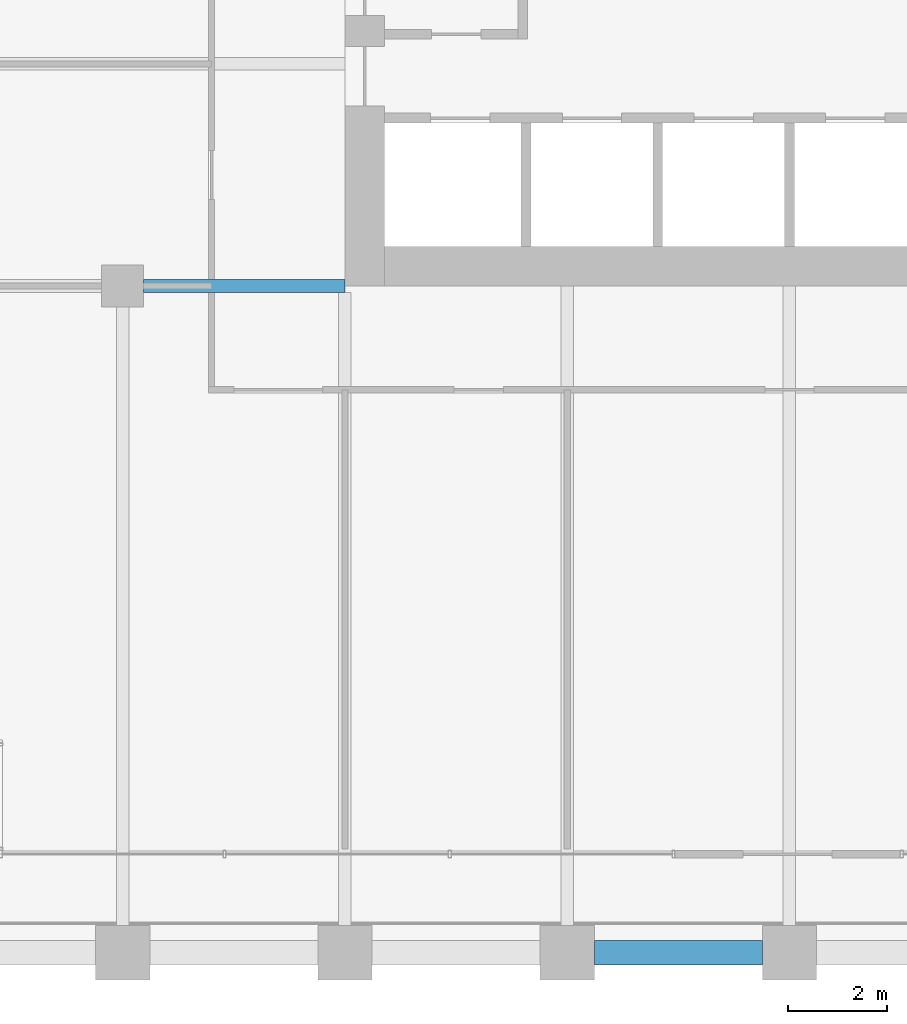
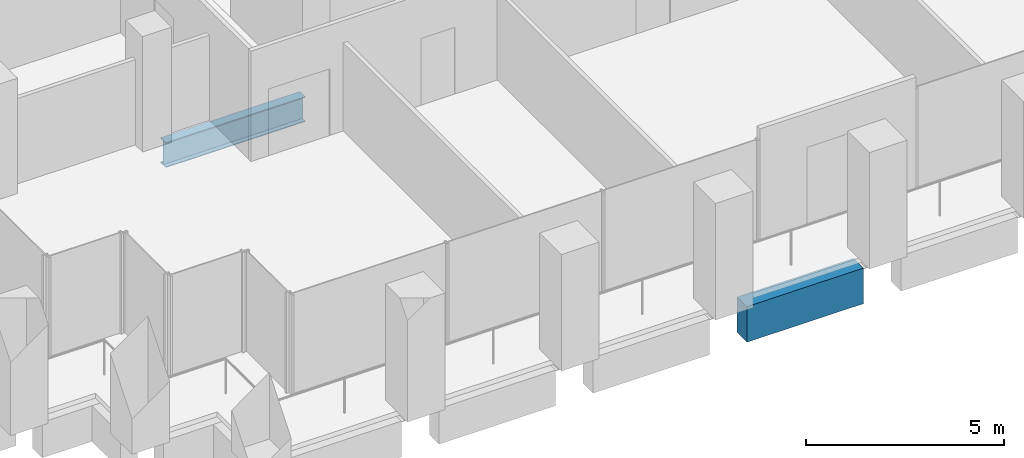
# One storey, part 6 of 56: 2 beams.
"""IFC4 building model written with IfcOpenShell, lengths in metres."""

import ifcopenshell
import ifcopenshell.guid

model = None  # the IFC model being written
_history = None  # IfcOwnerHistory: only IFC2X3 demands one
_inside = {}  # id of a spatial element -> (the spatial element, [elements in it])
_under = {}  # id of a project, library or spatial element -> (it, [spatial elements below it])
_declared = {}  # id of a project -> (the project, [libraries it declares])
_typed = {}  # id of a type object -> (the type object, [elements of that type])
_made_of = {}  # id of a material, layer set ... -> (it, [elements and type objects made of it])


def new_model(schema):
    """Start an empty IFC model of exactly this schema.

    Asked for "IFC4X3", IfcOpenShell would pick the latest addendum, in which some entities
    have other attributes; the version numbers below select the first issue.
    IFC2X3 requires an IfcOwnerHistory on every rooted entity: one is made here for all.
    """
    global model, _history
    if schema == "IFC4X3":
        model = ifcopenshell.file(schema_version=(4, 3, 0, 0))
    else:
        model = ifcopenshell.file(schema=schema)
    _inside.clear()
    _under.clear()
    _declared.clear()
    _typed.clear()
    _made_of.clear()
    _history = None
    if model.schema == "IFC2X3":
        org = make("IfcOrganization", Name="unknown")
        user = make(
            "IfcPersonAndOrganization",
            ThePerson=make("IfcPerson", FamilyName="unknown"),
            TheOrganization=org,
        )
        app = make(
            "IfcApplication",
            ApplicationDeveloper=org,
            Version="unknown",
            ApplicationFullName="unknown",
            ApplicationIdentifier="unknown",
        )
        _history = make(
            "IfcOwnerHistory",
            OwningUser=user,
            OwningApplication=app,
            ChangeAction="ADDED",
            CreationDate=0,
        )
    return model


def make(cls, **values):
    """One entity of the class cls with the attributes given. An attribute that is None is left unset."""
    return model.create_entity(
        cls, **{name: value for name, value in values.items() if value is not None}
    )


def rooted(cls, **values):
    """An entity with a GlobalId (a new one), such as an element, a storey or a relation."""
    return make(cls, GlobalId=ifcopenshell.guid.new(), OwnerHistory=_history, **values)


def si_unit(unit_type, name, prefix=None):
    """IfcSIUnit, for example si_unit("LENGTHUNIT", "METRE", prefix="MILLI")."""
    return make("IfcSIUnit", UnitType=unit_type, Prefix=prefix, Name=name)


def assignment(units):
    """IfcUnitAssignment: the units of a project."""
    return None if units is None else make("IfcUnitAssignment", Units=units)


def point(xyz):
    """IfcCartesianPoint."""
    return None if xyz is None else make("IfcCartesianPoint", Coordinates=xyz)


def direction(xyz):
    """IfcDirection."""
    return None if xyz is None else make("IfcDirection", DirectionRatios=xyz)


def frame(location, z_axis=None, x_axis=None):
    """IfcAxis2Placement3D, a coordinate frame: its origin and axes. An axis left out is left unset."""
    return make(
        "IfcAxis2Placement3D",
        Location=point(location),
        Axis=direction(z_axis),
        RefDirection=direction(x_axis),
    )


def frame_2d(location, x_axis=None):
    """IfcAxis2Placement2D, a coordinate frame in the plane: its origin and x axis."""
    return make(
        "IfcAxis2Placement2D", Location=point(location), RefDirection=direction(x_axis)
    )


def origin():
    """The frame at (0, 0, 0) with its axes left unset."""
    return frame((0.0, 0.0, 0.0))


def origin_2d():
    """The frame at (0, 0) in the plane with its x axis left unset."""
    return frame_2d((0.0, 0.0))


def place(relative_to, where):
    """IfcLocalPlacement: puts the frame where relative to a parent placement (None: the world)."""
    return make(
        "IfcLocalPlacement", PlacementRelTo=relative_to, RelativePlacement=where
    )


def context(
    kind, dimensions, precision=None, world=None, true_north=None, identifier=None
):
    """IfcGeometricRepresentationContext, for example the 3D "Model" context."""
    return make(
        "IfcGeometricRepresentationContext",
        ContextIdentifier=identifier,
        ContextType=kind,
        CoordinateSpaceDimension=dimensions,
        Precision=precision,
        WorldCoordinateSystem=world,
        TrueNorth=true_north,
    )


def subcontext(parent, identifier, kind, view, scale=None):
    """IfcGeometricRepresentationSubContext, for example "Body" below "Model"."""
    return make(
        "IfcGeometricRepresentationSubContext",
        ContextIdentifier=identifier,
        ContextType=kind,
        ParentContext=parent,
        TargetScale=scale,
        TargetView=view,
    )


def project(units=None, contexts=None):
    """IfcProject with its units and contexts."""
    return rooted(
        "IfcProject",
        Name="project",
        RepresentationContexts=contexts,
        UnitsInContext=assignment(units),
    )


def spatial(cls, under=None, at=None, **own):
    """A site, building, storey or space (cls), placed at a placement, below another one or the project."""
    s = rooted(cls, ObjectPlacement=at, **own)
    if under is not None:
        _under.setdefault(under.id(), (under, []))[1].append(s)
    return s


def profile(cls, at=None, kind="AREA", **sizes):
    """A parametric profile (cls). Its sizes go by their IFC names, for example OverallWidth=200.0."""
    return make(cls, ProfileType=kind, Position=at, **sizes)


def rectangle(**sizes):
    """IfcRectangleProfileDef."""
    return profile("IfcRectangleProfileDef", **sizes)


def i_section(**sizes):
    """IfcIShapeProfileDef."""
    return profile("IfcIShapeProfileDef", **sizes)


def extrude(swept, where, along, depth):
    """IfcExtrudedAreaSolid: the profile swept, set in the frame where, extruded along a direction by depth."""
    return make(
        "IfcExtrudedAreaSolid",
        SweptArea=swept,
        Position=where,
        ExtrudedDirection=direction(along),
        Depth=depth,
    )


def shape(context_of_items, identifier, shape_type, items):
    """IfcShapeRepresentation: the items that make up one representation, for example the "Body"."""
    return make(
        "IfcShapeRepresentation",
        ContextOfItems=context_of_items,
        RepresentationIdentifier=identifier,
        RepresentationType=shape_type,
        Items=items,
    )


def material(Name=None, Category=None):
    """IfcMaterial."""
    return make("IfcMaterial", Name=Name, Category=Category)


def material_profile(
    of_material, cross_section, Name=None, Category=None, Priority=None
):
    """IfcMaterialProfile: a cross section and its material."""
    return make(
        "IfcMaterialProfile",
        Name=Name,
        Material=of_material,
        Profile=cross_section,
        Priority=Priority,
        Category=Category,
    )


def profile_set(profiles, Name=None, composite=None):
    """IfcMaterialProfileSet."""
    return make(
        "IfcMaterialProfileSet",
        Name=Name,
        MaterialProfiles=profiles,
        CompositeProfile=composite,
    )


def made_of(thing, what):
    """Note that an element or type object is made of a material, layer set ...; save() writes the relation."""
    if what is not None:
        _made_of.setdefault(what.id(), (what, []))[1].append(thing)
    return thing


def type_object(cls, material=None, **own):
    """A type object (cls), such as IfcWallType, which elements share."""
    return made_of(rooted(cls, **own), material)


def element(
    cls,
    number,
    at=None,
    inside=None,
    cuts=None,
    type_object=None,
    material=None,
    context=None,
    identifier="Body",
    shape_type=None,
    held_by="IfcProductDefinitionShape",
    body=None,
    shapes=None,
    **own,
):
    """One element of the class cls, such as IfcWall. Its Tag is "e" and its number.

    at: its placement. inside: the storey or other place that contains it. cuts: it is an
    opening in that element (IfcRelVoidsElement). A single representation is given by context,
    identifier, shape_type and body (its items); several are given by shapes. held_by: the class
    of the entity that holds the representations. save() writes the other relations.
    """
    e = rooted(cls, Tag="e%d" % number, ObjectPlacement=at, **own)
    if body is not None:
        shapes = [shape(context, identifier, shape_type, body)]
    if shapes is not None:
        e.Representation = make(held_by, Representations=shapes)
    if inside is not None:
        _inside.setdefault(inside.id(), (inside, []))[1].append(e)
    if cuts is not None:
        rooted(
            "IfcRelVoidsElement", RelatingBuildingElement=cuts, RelatedOpeningElement=e
        )
    if type_object is not None:
        _typed.setdefault(type_object.id(), (type_object, []))[1].append(e)
    return made_of(e, material)


def aggregate(whole, parts):
    """IfcRelAggregates: a whole, such as a stair, and the parts it consists of."""
    return rooted("IfcRelAggregates", RelatingObject=whole, RelatedObjects=parts)


def save(model, path):
    """Write the relations noted so far, then the file.

    IfcRelAggregates (storeys below a building ...), IfcRelContainedInSpatialStructure (elements
    in a storey), IfcRelDefinesByType, IfcRelAssociatesMaterial and IfcRelDeclares: one each for
    every whole, place, type object, material and project.
    """
    for whole, parts in _under.values():
        aggregate(whole, parts)
    for where, things in _inside.values():
        rooted(
            "IfcRelContainedInSpatialStructure",
            RelatedElements=things,
            RelatingStructure=where,
        )
    for kind, things in _typed.values():
        rooted("IfcRelDefinesByType", RelatedObjects=things, RelatingType=kind)
    for what, things in _made_of.values():
        rooted("IfcRelAssociatesMaterial", RelatedObjects=things, RelatingMaterial=what)
    for by, libraries in _declared.values():
        rooted("IfcRelDeclares", RelatingContext=by, RelatedDefinitions=libraries)
    model.write(path)


model = new_model("IFC4")

# Units and contexts
model_context = context("Model", 3, precision=1e-05, world=origin(), true_north=direction((0.0, 1.0)))
body_context = subcontext(model_context, "Body", "Model", "MODEL_VIEW")
ifc_project = project(units=[si_unit("LENGTHUNIT", "METRE"), si_unit("AREAUNIT", "SQUARE_METRE"), si_unit("VOLUMEUNIT", "CUBIC_METRE"), si_unit("PLANEANGLEUNIT", "RADIAN"), si_unit("MASSUNIT", "GRAM", prefix="KILO")], contexts=[model_context])

# Site, building, storey
site_placement = place(None, origin())
site = spatial("IfcSite", under=ifc_project, at=site_placement, CompositionType="ELEMENT")
building_placement = place(site_placement, origin())
building = spatial("IfcBuilding", under=site, at=building_placement, Name="Altepetl Exchange Towers", CompositionType="ELEMENT")
storey_placement = place(building_placement, frame((0.0, 0.0, 54.60009765625)))
storey = spatial("IfcBuildingStorey", under=building, at=storey_placement, Name="L12", CompositionType="ELEMENT", Elevation=54.60009765625)

# Beams
ifc_material_1 = material(Name="Steel S355", Category="steel")
ifc_material_profile_1 = material_profile(ifc_material_1, i_section(OverallWidth=0.26806640625, OverallDepth=0.77392578125, WebThickness=0.015380859375, FlangeThickness=0.025390625, at=origin_2d()), Name="W30X132")
ifc_profile_set_1 = profile_set([ifc_material_profile_1], Name="Steel S355")
beam_type_1 = type_object("IfcBeamType", Name="Girder W30X132", PredefinedType="BEAM", material=ifc_profile_set_1)
beam_1_placement = place(storey_placement, frame((40.5, 40.5, -0.537109375), z_axis=(-1.0, 0.0, 0.0), x_axis=(0.0, -1.0, 0.0)))
element("IfcBeam", 1, at=beam_1_placement, inside=storey, type_object=beam_type_1, Name="gd:A:L12:009", PredefinedType="BEAM", context=body_context, shape_type="SweptSolid", body=[
    extrude(i_section(OverallWidth=0.26806640625, OverallDepth=0.77392578125, WebThickness=0.015380859375, FlangeThickness=0.025390625, at=origin_2d()), origin(), (0.0, 0.0, 1.0), 4.074951171875),
])
ifc_material_2 = material(Name="Concrete C50/60 precast with cantera blanca facing", Category="concrete")
ifc_material_profile_2 = material_profile(ifc_material_2, rectangle(XDim=0.5, YDim=1.10009765625, at=origin_2d()), Name="500 x 1100")
ifc_profile_set_2 = profile_set([ifc_material_profile_2], Name="Concrete C50/60 precast with cantera blanca facing")
beam_type_2 = type_object("IfcBeamType", Name="Spandrel beam 500x1100 cantera blanca", PredefinedType="SPANDREL", material=ifc_profile_set_2)
beam_2_placement = place(storey_placement, frame((45.550048828125, 27.0, -0.7001953125), z_axis=(1.0, 0.0, 0.0), x_axis=(0.0, 1.0, 0.0)))
element("IfcBeam", 2, at=beam_2_placement, inside=storey, type_object=beam_type_2, Name="sp:A:L12:003", PredefinedType="SPANDREL", context=body_context, shape_type="SweptSolid", body=[
    extrude(rectangle(XDim=0.5, YDim=1.10009765625, at=origin_2d()), origin(), (0.0, 0.0, 1.0), 3.39990234375),
])

save(model, "model.ifc")
